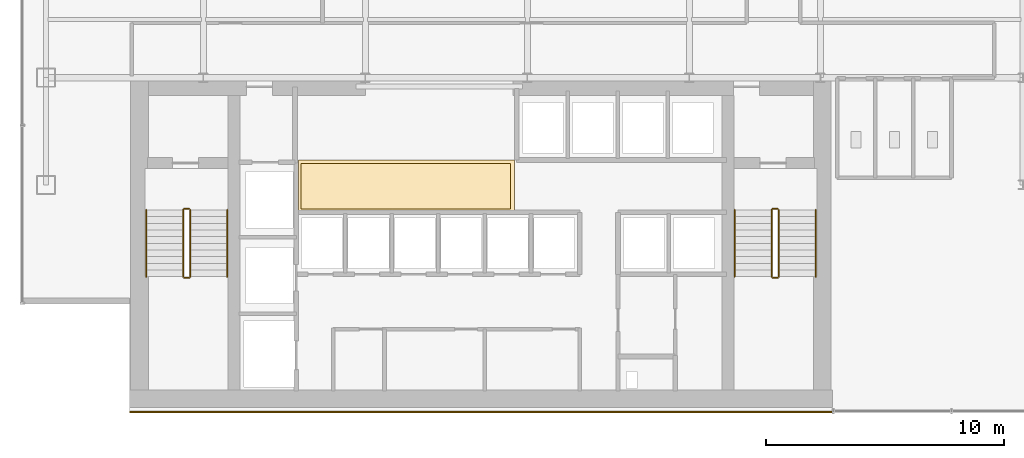
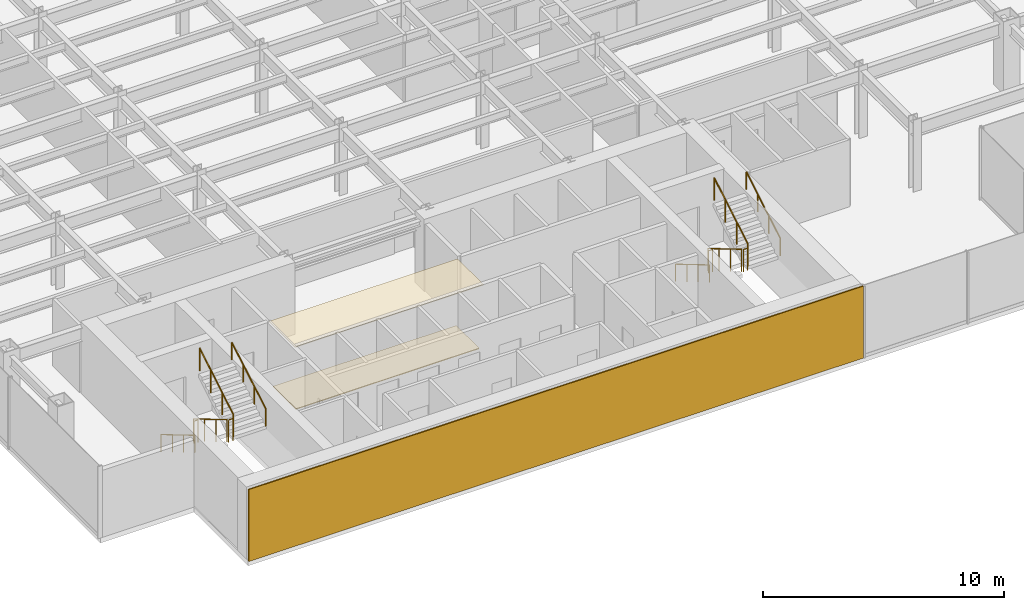
# One storey, part 24 of 26: 12 railings, 3 coverings.
"""IFC4 building model written with IfcOpenShell, lengths in metres."""

from ifc_helpers import new_model, si_unit, derived_unit, direction, frame, origin, origin_2d, place, context, subcontext, project, spatial, polyline, rectangle, circle, outline, extrude, source, transform, mapped, material, layer, layer_set, type_object, element, save


model = new_model("IFC4")

# Units and contexts
model_context = context("Model", 3, precision=1e-05, world=origin(), true_north=direction((0.0, 1.0)))
body_context = subcontext(model_context, "Body", "Model", "MODEL_VIEW")
ifc_project = project(units=[si_unit("LENGTHUNIT", "METRE"), si_unit("AREAUNIT", "SQUARE_METRE"), si_unit("VOLUMEUNIT", "CUBIC_METRE"), si_unit("PLANEANGLEUNIT", "RADIAN"), si_unit("MASSUNIT", "GRAM", prefix="KILO"), derived_unit("THERMALTRANSMITTANCEUNIT", [(si_unit("POWERUNIT", "WATT"), 1), (si_unit("LENGTHUNIT", "METRE"), -2), (si_unit("THERMODYNAMICTEMPERATUREUNIT", "KELVIN"), -1)])], contexts=[model_context])

# Site, building, storey
site_placement = place(None, origin())
site = spatial("IfcSite", under=ifc_project, at=site_placement, CompositionType="ELEMENT")
building_placement = place(site_placement, origin())
building = spatial("IfcBuilding", under=site, at=building_placement, Name="Skarnbrae Concourse Arena and Tower", CompositionType="ELEMENT")
storey_placement = place(building_placement, frame((0.0, 0.0, 99.60009765625)))
storey = spatial("IfcBuildingStorey", under=building, at=storey_placement, Name="L24", CompositionType="ELEMENT", Elevation=99.60009765625)

# Coverings
ifc_material_1 = material(Name="Mineral fibre acoustic ceiling tile", Category="other")
ifc_layer_1 = layer(ifc_material_1, 0.0400390625)
ifc_layer_set_1 = layer_set([ifc_layer_1], Name="Mineral fibre acoustic ceiling tile")
covering_type_1 = type_object("IfcCoveringType", Name="COV-CEIL-ACOUSTIC", PredefinedType="CEILING", material=ifc_layer_set_1)
covering_1_placement = place(storey_placement, frame((0.0, 0.0, 3.239990234375)))
element("IfcCovering", 1, at=covering_1_placement, inside=storey, type_object=covering_type_1, Name="L24 Lift lobby acoustic ceiling", PredefinedType="CEILING", context=body_context, shape_type="SweptSolid", body=[
    extrude(outline(polyline([(11.60009765625, 8.39990234375), (20.64990234375, 8.39990234375), (20.64990234375, 10.550048828125), (11.60009765625, 10.550048828125), (11.60009765625, 8.39990234375)])), origin(), (0.0, 0.0, 1.0), 0.039794921875),
])
ifc_material_2 = material(Name="Polished granite terrazzo flooring", Category="masonry")
ifc_layer_2 = layer(ifc_material_2, 0.0400390625)
ifc_layer_set_2 = layer_set([ifc_layer_2], Name="Polished granite terrazzo flooring")
covering_type_2 = type_object("IfcCoveringType", Name="COV-FLOOR-TERRAZZO", PredefinedType="FLOORING", material=ifc_layer_set_2)
covering_2_placement = place(storey_placement, origin())
element("IfcCovering", 2, at=covering_2_placement, inside=storey, type_object=covering_type_2, Name="L24 Lift lobby terrazzo flooring", PredefinedType="FLOORING", context=body_context, shape_type="SweptSolid", body=[
    extrude(outline(polyline([(11.699951171875, 8.5), (20.5, 8.5), (20.5, 10.39990234375), (11.699951171875, 10.39990234375), (11.699951171875, 8.5)])), origin(), (0.0, 0.0, 1.0), 0.039794921875),
])

# Railings
ifc_material_3 = material(Name="Steel CSA G40.21 350W", Category="steel")
railing_type_1 = type_object("IfcRailingType", Name="RAIL-HANDRAIL-900", PredefinedType="HANDRAIL", material=ifc_material_3)
railing_1_placement = place(storey_placement, frame((5.199951171875, 8.449951171875, 0.165771484375)))
element("IfcRailing", 3, at=railing_1_placement, inside=storey, type_object=railing_type_1, Name="L24 ST-1 stair handrail 1", PredefinedType="HANDRAIL", context=body_context, shape_type="SweptSolid", body=[
    extrude(circle(Radius=0.02392578125, at=origin_2d()), frame((0.0, 0.0, 0.8759765625), z_axis=(0.0, -0.860306154799, 0.50977771628), x_axis=(1.0, 0.0, 0.0)), (0.0, 0.0, 1.0), 3.254638671875),
    extrude(circle(Radius=0.02099609375, at=origin_2d()), origin(), (0.0, 0.0, 1.0), 0.851806640625),
    extrude(circle(Radius=0.02099609375, at=origin_2d()), frame((0.0, -0.933349609375, 0.552978515625)), (0.0, 0.0, 1.0), 0.851806640625),
    extrude(circle(Radius=0.02099609375, at=origin_2d()), frame((0.0, -1.86669921875, 1.106201171875)), (0.0, 0.0, 1.0), 0.851806640625),
    extrude(circle(Radius=0.02099609375, at=origin_2d()), frame((0.0, -2.800048828125, 1.6591796875)), (0.0, 0.0, 1.0), 0.851806640625),
])
railing_2_placement = place(storey_placement, frame((8.60009765625, 5.64990234375, 1.99072265625)))
element("IfcRailing", 4, at=railing_2_placement, inside=storey, type_object=railing_type_1, Name="L24 ST-1 stair handrail 2", PredefinedType="HANDRAIL", context=body_context, shape_type="SweptSolid", body=[
    extrude(circle(Radius=0.02392578125, at=origin_2d()), frame((0.0, 0.0, 0.8759765625), z_axis=(0.0, 0.860306154799, 0.50977771628), x_axis=(-1.0, 0.0, 0.0)), (0.0, 0.0, 1.0), 3.254638671875),
    extrude(circle(Radius=0.02099609375, at=origin_2d()), origin(), (0.0, 0.0, 1.0), 0.851806640625),
    extrude(circle(Radius=0.02099609375, at=origin_2d()), frame((0.0, 0.933349609375, 0.552978515625)), (0.0, 0.0, 1.0), 0.851806640625),
    extrude(circle(Radius=0.02099609375, at=origin_2d()), frame((0.0, 1.86669921875, 1.106201171875)), (0.0, 0.0, 1.0), 0.851806640625),
    extrude(circle(Radius=0.02099609375, at=origin_2d()), frame((0.0, 2.800048828125, 1.6591796875)), (0.0, 0.0, 1.0), 0.851806640625),
])
railing_3_placement = place(storey_placement, frame((29.89990234375, 8.449951171875, 0.165771484375)))
element("IfcRailing", 5, at=railing_3_placement, inside=storey, type_object=railing_type_1, Name="L24 ST-2 stair handrail 1", PredefinedType="HANDRAIL", context=body_context, shape_type="SweptSolid", body=[
    extrude(circle(Radius=0.02392578125, at=origin_2d()), frame((0.0, 0.0, 0.8759765625), z_axis=(0.0, -0.860306154799, 0.50977771628), x_axis=(1.0, 0.0, 0.0)), (0.0, 0.0, 1.0), 3.254638671875),
    extrude(circle(Radius=0.02099609375, at=origin_2d()), origin(), (0.0, 0.0, 1.0), 0.851806640625),
    extrude(circle(Radius=0.02099609375, at=origin_2d()), frame((0.0, -0.933349609375, 0.552978515625)), (0.0, 0.0, 1.0), 0.851806640625),
    extrude(circle(Radius=0.02099609375, at=origin_2d()), frame((0.0, -1.86669921875, 1.106201171875)), (0.0, 0.0, 1.0), 0.851806640625),
    extrude(circle(Radius=0.02099609375, at=origin_2d()), frame((0.0, -2.800048828125, 1.6591796875)), (0.0, 0.0, 1.0), 0.851806640625),
])
railing_4_placement = place(storey_placement, frame((33.300048828125, 5.64990234375, 1.99072265625)))
element("IfcRailing", 6, at=railing_4_placement, inside=storey, type_object=railing_type_1, Name="L24 ST-2 stair handrail 2", PredefinedType="HANDRAIL", context=body_context, shape_type="SweptSolid", body=[
    extrude(circle(Radius=0.02392578125, at=origin_2d()), frame((0.0, 0.0, 0.8759765625), z_axis=(0.0, 0.860306154799, 0.50977771628), x_axis=(-1.0, 0.0, 0.0)), (0.0, 0.0, 1.0), 3.254638671875),
    extrude(circle(Radius=0.02099609375, at=origin_2d()), origin(), (0.0, 0.0, 1.0), 0.851806640625),
    extrude(circle(Radius=0.02099609375, at=origin_2d()), frame((0.0, 0.933349609375, 0.552978515625)), (0.0, 0.0, 1.0), 0.851806640625),
    extrude(circle(Radius=0.02099609375, at=origin_2d()), frame((0.0, 1.86669921875, 1.106201171875)), (0.0, 0.0, 1.0), 0.851806640625),
    extrude(circle(Radius=0.02099609375, at=origin_2d()), frame((0.0, 2.800048828125, 1.6591796875)), (0.0, 0.0, 1.0), 0.851806640625),
])
railing_type_2 = type_object("IfcRailingType", Name="RAIL-STAIR-GUARD-1150", PredefinedType="GUARDRAIL", material=ifc_material_3)
railing_5_placement = place(storey_placement, frame((6.75, 8.449951171875, 0.165771484375)))
element("IfcRailing", 7, at=railing_5_placement, inside=storey, type_object=railing_type_2, Name="L24 ST-1 stair guard 1", PredefinedType="GUARDRAIL", context=body_context, shape_type="SweptSolid", body=[
    extrude(circle(Radius=0.02392578125, at=origin_2d()), frame((0.0, 0.0, 1.1259765625), z_axis=(0.0, -0.860306154799, 0.50977771628), x_axis=(1.0, 0.0, 0.0)), (0.0, 0.0, 1.0), 3.254638671875),
    extrude(circle(Radius=0.02099609375, at=origin_2d()), origin(), (0.0, 0.0, 1.0), 1.101806640625),
    extrude(circle(Radius=0.02099609375, at=origin_2d()), frame((0.0, -0.933349609375, 0.552978515625)), (0.0, 0.0, 1.0), 1.101806640625),
    extrude(circle(Radius=0.02099609375, at=origin_2d()), frame((0.0, -1.86669921875, 1.106201171875)), (0.0, 0.0, 1.0), 1.101806640625),
    extrude(circle(Radius=0.02099609375, at=origin_2d()), frame((0.0, -2.800048828125, 1.6591796875)), (0.0, 0.0, 1.0), 1.101806640625),
])
railing_6_placement = place(storey_placement, frame((6.800048828125, 5.60009765625, 1.824951171875)))
element("IfcRailing", 8, at=railing_6_placement, inside=storey, type_object=railing_type_2, Name="L24 ST-1 stair guard 2", PredefinedType="GUARDRAIL", context=body_context, shape_type="SweptSolid", body=[
    extrude(circle(Radius=0.02392578125, at=origin_2d()), frame((0.0, 0.0, 1.1259765625), z_axis=(1.0, 0.0, 0.0), x_axis=(0.0, 1.0, 0.0)), (0.0, 0.0, 1.0), 0.199951171875),
    extrude(circle(Radius=0.02099609375, at=origin_2d()), origin(), (0.0, 0.0, 1.0), 1.101806640625),
    extrude(circle(Radius=0.02099609375, at=origin_2d()), frame((0.199951171875, 0.0, 0.0)), (0.0, 0.0, 1.0), 1.101806640625),
])
railing_7_placement = place(storey_placement, frame((7.050048828125, 5.64990234375, 1.99072265625)))
element("IfcRailing", 9, at=railing_7_placement, inside=storey, type_object=railing_type_2, Name="L24 ST-1 stair guard 3", PredefinedType="GUARDRAIL", context=body_context, shape_type="SweptSolid", body=[
    extrude(circle(Radius=0.02392578125, at=origin_2d()), frame((0.0, 0.0, 1.1259765625), z_axis=(0.0, 0.860306154799, 0.50977771628), x_axis=(-1.0, 0.0, 0.0)), (0.0, 0.0, 1.0), 3.254638671875),
    extrude(circle(Radius=0.02099609375, at=origin_2d()), origin(), (0.0, 0.0, 1.0), 1.101806640625),
    extrude(circle(Radius=0.02099609375, at=origin_2d()), frame((0.0, 0.933349609375, 0.552978515625)), (0.0, 0.0, 1.0), 1.101806640625),
    extrude(circle(Radius=0.02099609375, at=origin_2d()), frame((0.0, 1.86669921875, 1.106201171875)), (0.0, 0.0, 1.0), 1.101806640625),
    extrude(circle(Radius=0.02099609375, at=origin_2d()), frame((0.0, 2.800048828125, 1.6591796875)), (0.0, 0.0, 1.0), 1.101806640625),
])
railing_8_placement = place(storey_placement, frame((6.800048828125, 8.5, 0.0)))
element("IfcRailing", 10, at=railing_8_placement, inside=storey, type_object=railing_type_2, Name="L24 ST-1 stair guard 4", PredefinedType="GUARDRAIL", context=body_context, shape_type="SweptSolid", body=[
    extrude(circle(Radius=0.02392578125, at=origin_2d()), frame((0.0, 0.0, 1.1259765625), z_axis=(1.0, 0.0, 0.0), x_axis=(0.0, 1.0, 0.0)), (0.0, 0.0, 1.0), 0.199951171875),
    extrude(circle(Radius=0.02099609375, at=origin_2d()), origin(), (0.0, 0.0, 1.0), 1.101806640625),
    extrude(circle(Radius=0.02099609375, at=origin_2d()), frame((0.199951171875, 0.0, 0.0)), (0.0, 0.0, 1.0), 1.101806640625),
])
railing_9_placement = place(storey_placement, frame((31.449951171875, 8.449951171875, 0.165771484375)))
element("IfcRailing", 11, at=railing_9_placement, inside=storey, type_object=railing_type_2, Name="L24 ST-2 stair guard 1", PredefinedType="GUARDRAIL", context=body_context, shape_type="SweptSolid", body=[
    extrude(circle(Radius=0.02392578125, at=origin_2d()), frame((0.0, 0.0, 1.1259765625), z_axis=(0.0, -0.860306154799, 0.50977771628), x_axis=(1.0, 0.0, 0.0)), (0.0, 0.0, 1.0), 3.254638671875),
    extrude(circle(Radius=0.02099609375, at=origin_2d()), origin(), (0.0, 0.0, 1.0), 1.101806640625),
    extrude(circle(Radius=0.02099609375, at=origin_2d()), frame((0.0, -0.933349609375, 0.552978515625)), (0.0, 0.0, 1.0), 1.101806640625),
    extrude(circle(Radius=0.02099609375, at=origin_2d()), frame((0.0, -1.86669921875, 1.106201171875)), (0.0, 0.0, 1.0), 1.101806640625),
    extrude(circle(Radius=0.02099609375, at=origin_2d()), frame((0.0, -2.800048828125, 1.6591796875)), (0.0, 0.0, 1.0), 1.101806640625),
])
railing_10_placement = place(storey_placement, frame((31.5, 5.60009765625, 1.824951171875)))
element("IfcRailing", 12, at=railing_10_placement, inside=storey, type_object=railing_type_2, Name="L24 ST-2 stair guard 2", PredefinedType="GUARDRAIL", context=body_context, shape_type="SweptSolid", body=[
    extrude(circle(Radius=0.02392578125, at=origin_2d()), frame((0.0, 0.0, 1.1259765625), z_axis=(1.0, 0.0, 0.0), x_axis=(0.0, 1.0, 0.0)), (0.0, 0.0, 1.0), 0.199951171875),
    extrude(circle(Radius=0.02099609375, at=origin_2d()), origin(), (0.0, 0.0, 1.0), 1.101806640625),
    extrude(circle(Radius=0.02099609375, at=origin_2d()), frame((0.199951171875, 0.0, 0.0)), (0.0, 0.0, 1.0), 1.101806640625),
])
railing_11_placement = place(storey_placement, frame((31.75, 5.64990234375, 1.99072265625)))
element("IfcRailing", 13, at=railing_11_placement, inside=storey, type_object=railing_type_2, Name="L24 ST-2 stair guard 3", PredefinedType="GUARDRAIL", context=body_context, shape_type="SweptSolid", body=[
    extrude(circle(Radius=0.02392578125, at=origin_2d()), frame((0.0, 0.0, 1.1259765625), z_axis=(0.0, 0.860306154799, 0.50977771628), x_axis=(-1.0, 0.0, 0.0)), (0.0, 0.0, 1.0), 3.254638671875),
    extrude(circle(Radius=0.02099609375, at=origin_2d()), origin(), (0.0, 0.0, 1.0), 1.101806640625),
    extrude(circle(Radius=0.02099609375, at=origin_2d()), frame((0.0, 0.933349609375, 0.552978515625)), (0.0, 0.0, 1.0), 1.101806640625),
    extrude(circle(Radius=0.02099609375, at=origin_2d()), frame((0.0, 1.86669921875, 1.106201171875)), (0.0, 0.0, 1.0), 1.101806640625),
    extrude(circle(Radius=0.02099609375, at=origin_2d()), frame((0.0, 2.800048828125, 1.6591796875)), (0.0, 0.0, 1.0), 1.101806640625),
])
railing_12_placement = place(storey_placement, frame((31.5, 8.5, 0.0)))
element("IfcRailing", 14, at=railing_12_placement, inside=storey, type_object=railing_type_2, Name="L24 ST-2 stair guard 4", PredefinedType="GUARDRAIL", context=body_context, shape_type="SweptSolid", body=[
    extrude(circle(Radius=0.02392578125, at=origin_2d()), frame((0.0, 0.0, 1.1259765625), z_axis=(1.0, 0.0, 0.0), x_axis=(0.0, 1.0, 0.0)), (0.0, 0.0, 1.0), 0.199951171875),
    extrude(circle(Radius=0.02099609375, at=origin_2d()), origin(), (0.0, 0.0, 1.0), 1.101806640625),
    extrude(circle(Radius=0.02099609375, at=origin_2d()), frame((0.199951171875, 0.0, 0.0)), (0.0, 0.0, 1.0), 1.101806640625),
])

# Covering
ifc_material_4 = material(Name="Bronze anodised aluminium 6063-T6", Category="aluminium")
ifc_layer_3 = layer(ifc_material_4, 0.06005859375)
ifc_layer_set_3 = layer_set([ifc_layer_3], Name="Bronze anodised aluminium 6063-T6")
covering_type_3 = type_object("IfcCoveringType", Name="COV-CLAD-BRONZE-60", PredefinedType="CLADDING", material=ifc_layer_set_3)
shared_shape = source(origin(), body_context, "Body", "SweptSolid", [
    extrude(rectangle(XDim=29.5, YDim=0.06005859375, at=origin_2d()), origin(), (0.0, 0.0, 1.0), 3.64990234375),
])
covering_3_placement = place(storey_placement, frame((19.25, -0.030029296875, 0.0), z_axis=(0.0, 0.0, 1.0), x_axis=(1.0, 0.0, 0.0)))
element("IfcCovering", 15, at=covering_3_placement, inside=storey, type_object=covering_type_3, Name="L24 Rear-core plumb spine bronze rainscreen panel", PredefinedType="CLADDING", context=body_context, shape_type="MappedRepresentation", body=[
    mapped(shared_shape, transform((0.0, 0.0, 0.0))),
])

save(model, "model.ifc")
